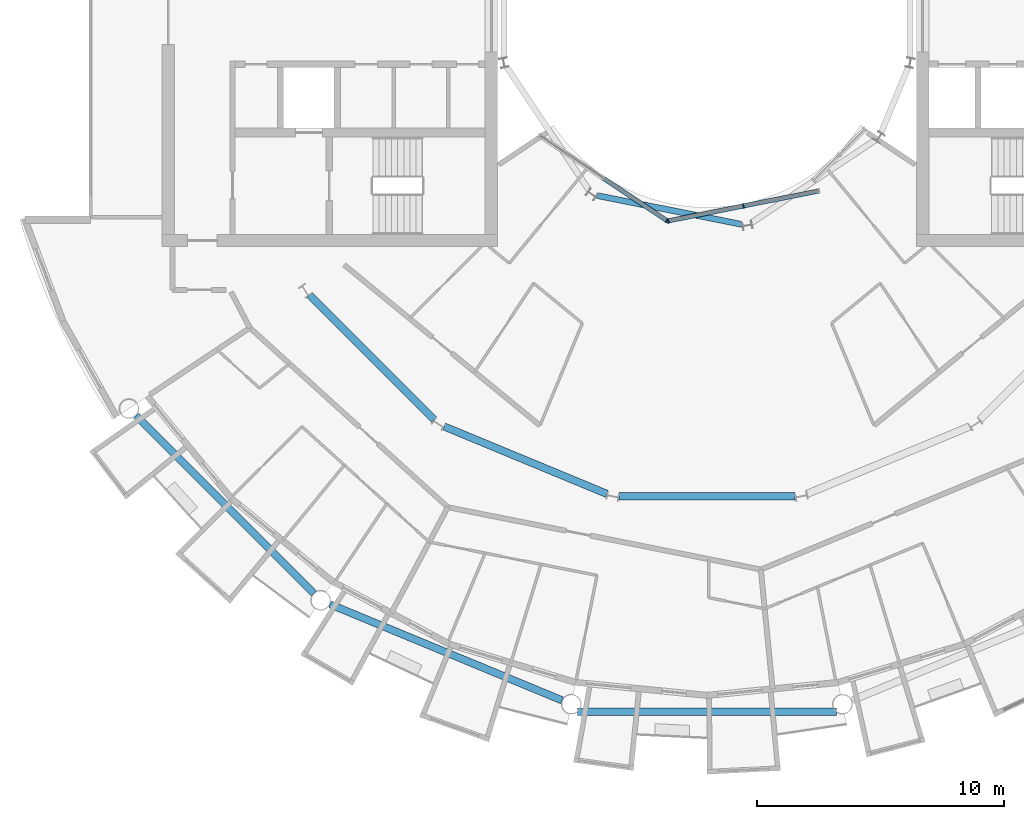
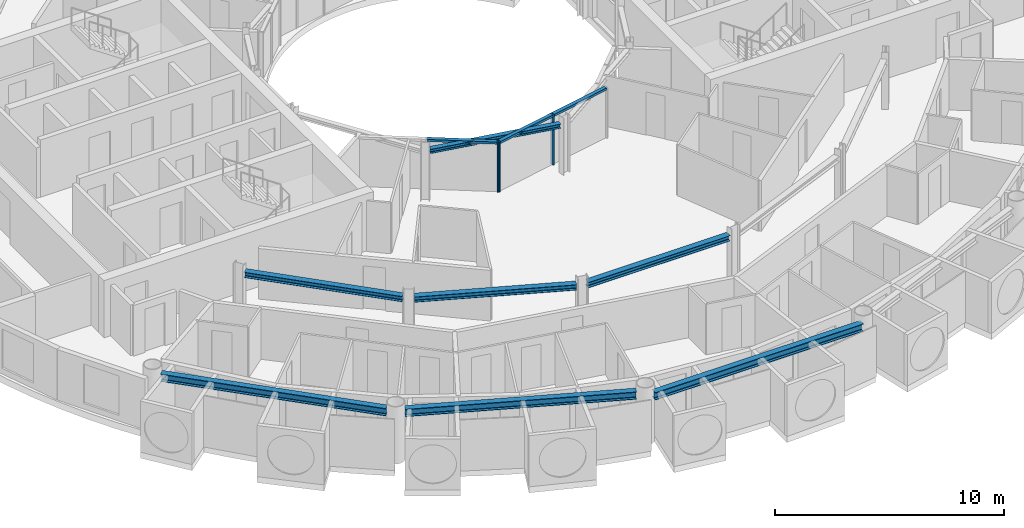
# One storey, part 5 of 27: 7 beams, 6 members, 2 elements without a shape of their own.
"""IFC4 building model written with IfcOpenShell, lengths in metres."""

from ifc_helpers import new_model, si_unit, direction, frame, origin, origin_2d, place, context, subcontext, project, spatial, rectangle, i_section, extrude, material, layer, layer_set, material_profile, profile_set, type_object, element, aggregate, save


model = new_model("IFC4")

# Units and contexts
model_context = context("Model", 3, precision=1e-05, world=origin(), true_north=direction((0.0, 1.0)))
body_context = subcontext(model_context, "Body", "Model", "MODEL_VIEW")
ifc_project = project(units=[si_unit("LENGTHUNIT", "METRE"), si_unit("AREAUNIT", "SQUARE_METRE"), si_unit("VOLUMEUNIT", "CUBIC_METRE"), si_unit("PLANEANGLEUNIT", "RADIAN"), si_unit("MASSUNIT", "GRAM", prefix="KILO")], contexts=[model_context])

# Site, building, storey
site_placement = place(None, origin())
site = spatial("IfcSite", under=ifc_project, at=site_placement, CompositionType="ELEMENT")
building_placement = place(site_placement, origin())
building = spatial("IfcBuilding", under=site, at=building_placement, Name="Maasbend Ring Residences", CompositionType="ELEMENT")
storey_placement = place(building_placement, frame((0.0, 0.0, 148.25)))
storey = spatial("IfcBuildingStorey", under=building, at=storey_placement, Name="L42", CompositionType="ELEMENT", Elevation=148.25)

# Curtain wall, member
ifc_material_1 = material(Name="Aluminium and clear glass", Category="aluminium")
ifc_layer = layer(ifc_material_1, 0.179931640625)
ifc_layer_set = layer_set([ifc_layer], Name="CW-W")
curtain_wall_type = type_object("IfcCurtainWallType", Name="CW-W", PredefinedType="NOTDEFINED", material=ifc_layer_set)
curtain_wall_1_placement = place(storey_placement, origin())
curtain_wall_1 = element("IfcCurtainWall", 1, at=curtain_wall_1_placement, inside=storey, type_object=curtain_wall_type, Name="Well curtain wall S1", PredefinedType="NOTDEFINED")
ifc_material_2 = material(Name="Aluminium 6063-T6", Category="aluminium")
ifc_material_profile_1 = material_profile(ifc_material_2, rectangle(XDim=0.179931640625, YDim=0.06005859375, at=origin_2d()), Name="AL 180x60")
ifc_profile_set_1 = profile_set([ifc_material_profile_1], Name="Aluminium 6063-T6")
member_type_1 = type_object("IfcMemberType", Name="CWM-W", PredefinedType="MULLION", material=ifc_profile_set_1)
member_1_placement = place(storey_placement, frame((-1.627685546875, -8.040771484375, 0.0), z_axis=(0.0, 0.0, 1.0), x_axis=(0.55557023302, 0.831469612303, 0.0)))
member_1 = element("IfcMember", 2, at=member_1_placement, type_object=member_type_1, Name="Mullion well face", PredefinedType="MULLION", context=body_context, shape_type="SweptSolid", body=[
    extrude(rectangle(XDim=0.179931640625, YDim=0.06005859375, at=origin_2d()), origin(), (0.0, 0.0, 1.0), 2.699951171875),
])

# Curtain wall, members
curtain_wall_2_placement = place(storey_placement, origin())
curtain_wall_2 = element("IfcCurtainWall", 3, at=curtain_wall_2_placement, inside=storey, type_object=curtain_wall_type, Name="Well curtain wall S2", PredefinedType="NOTDEFINED")
member_2_placement = place(storey_placement, frame((-1.5732421875, -8.0517578125, 0.0), z_axis=(0.0, 0.0, 1.0), x_axis=(-0.195090322016, 0.980785280403, 0.0)))
member_2 = element("IfcMember", 4, at=member_2_placement, type_object=member_type_1, Name="Mullion well face", PredefinedType="MULLION", context=body_context, shape_type="SweptSolid", body=[
    extrude(rectangle(XDim=0.179931640625, YDim=0.06005859375, at=origin_2d()), origin(), (0.0, 0.0, 1.0), 2.699951171875),
])
member_3_placement = place(storey_placement, frame((1.480712890625, -7.444091796875, 0.0), z_axis=(0.0, 0.0, 1.0), x_axis=(-0.195090322016, 0.980785280403, 0.0)))
member_3 = element("IfcMember", 5, at=member_3_placement, type_object=member_type_1, Name="Mullion well face", PredefinedType="MULLION", context=body_context, shape_type="SweptSolid", body=[
    extrude(rectangle(XDim=0.179931640625, YDim=0.06005859375, at=origin_2d()), origin(), (0.0, 0.0, 1.0), 2.699951171875),
])

# Member
ifc_material_3 = material(Name="Aluminium 6063-T6", Category="aluminium")
ifc_material_profile_2 = material_profile(ifc_material_3, rectangle(XDim=0.179931640625, YDim=0.1201171875, at=origin_2d()), Name="AL 180x120")
ifc_profile_set_2 = profile_set([ifc_material_profile_2], Name="Aluminium 6063-T6")
member_type_2 = type_object("IfcMemberType", Name="CWT-W", PredefinedType="USERDEFINED", material=ifc_profile_set_2)
member_4_placement = place(storey_placement, frame((-4.19189453125, -6.32763671875, 2.639892578125), z_axis=(0.831496422459, -0.555530106689, 0.0), x_axis=(0.555530106689, 0.831496422459, 0.0)))
member_4 = element("IfcMember", 6, at=member_4_placement, type_object=member_type_2, Name="Transom well face", ObjectType="TRANSOM", PredefinedType="USERDEFINED", context=body_context, shape_type="SweptSolid", body=[
    extrude(rectangle(XDim=0.179931640625, YDim=0.1201171875, at=origin_2d()), origin(), (0.0, 0.0, 1.0), 3.053955078125),
])

aggregate(curtain_wall_1, [member_1, member_4])

member_5_placement = place(storey_placement, frame((-1.5439453125, -8.0458984375, 2.639892578125), z_axis=(0.980776956105, 0.195132166424, 0.0), x_axis=(-0.195132166424, 0.980776956105, 0.0)))
member_5 = element("IfcMember", 7, at=member_5_placement, type_object=member_type_2, Name="Transom well face", ObjectType="TRANSOM", PredefinedType="USERDEFINED", context=body_context, shape_type="SweptSolid", body=[
    extrude(rectangle(XDim=0.179931640625, YDim=0.1201171875, at=origin_2d()), origin(), (0.0, 0.0, 1.0), 3.053955078125),
])

member_6_placement = place(storey_placement, frame((1.51025390625, -7.438232421875, 2.639892578125), z_axis=(0.980789210404, 0.19507056353, 0.0), x_axis=(-0.19507056353, 0.980789210404, 0.0)))
member_6 = element("IfcMember", 8, at=member_6_placement, type_object=member_type_2, Name="Transom well face", ObjectType="TRANSOM", PredefinedType="USERDEFINED", context=body_context, shape_type="SweptSolid", body=[
    extrude(rectangle(XDim=0.179931640625, YDim=0.1201171875, at=origin_2d()), origin(), (0.0, 0.0, 1.0), 3.0537109375),
])

aggregate(curtain_wall_2, [member_2, member_3, member_5, member_6])

# Beams
ifc_material_4 = material(Name="Steel S355J2", Category="steel")
ifc_material_profile_3 = material_profile(ifc_material_4, i_section(OverallWidth=0.300048828125, OverallDepth=0.2900390625, WebThickness=0.008544921875, FlangeThickness=0.013916015625, FilletRadius=0.027099609375, at=origin_2d()), Name="HEA 300")
ifc_profile_set_3 = profile_set([ifc_material_profile_3], Name="Steel S355J2")
beam_type_1 = type_object("IfcBeamType", Name="Corridor ring beam HEA 300", PredefinedType="BEAM", material=ifc_profile_set_3)
for number, where, z_axis, x_axis, name in (
    (9, (-16.11669921875, -11.0693359375, 2.554931640625), (0.707106781187, -0.707106781187, 0.0), (0.707106781187, 0.707106781187, 0.0), "Corridor ring beam"),
    (10, (-10.65380859375, -16.394287109375, 2.554931640625), (0.923871339849, -0.382703210602, 0.0), (0.382703210602, 0.923871339849, 0.0), "Corridor ring beam"),
):
    element("IfcBeam", number, at=place(storey_placement, frame(where, z_axis=z_axis, x_axis=x_axis)), inside=storey, type_object=beam_type_1, Name=name, PredefinedType="BEAM", context=body_context, shape_type="SweptSolid", body=[
        extrude(i_section(OverallWidth=0.300048828125, OverallDepth=0.2900390625, WebThickness=0.008544921875, FlangeThickness=0.013916015625, FilletRadius=0.027099609375, at=origin_2d()), origin(), (0.0, 0.0, 1.0), 7.137939453125),
    ])
beam_1_placement = place(storey_placement, frame((-3.56884765625, -19.223388671875, 2.554931640625), z_axis=(1.0, 0.0, 0.0), x_axis=(0.0, 1.0, 0.0)))
element("IfcBeam", 11, at=beam_1_placement, inside=storey, type_object=beam_type_1, Name="Corridor ring beam", PredefinedType="BEAM", context=body_context, shape_type="SweptSolid", body=[
    extrude(i_section(OverallWidth=0.300048828125, OverallDepth=0.2900390625, WebThickness=0.008544921875, FlangeThickness=0.013916015625, FilletRadius=0.027099609375, at=origin_2d()), origin(), (0.0, 0.0, 1.0), 7.1376953125),
])
ifc_material_5 = material(Name="Steel S355J2", Category="steel")
ifc_material_profile_4 = material_profile(ifc_material_5, i_section(OverallWidth=0.300048828125, OverallDepth=0.39990234375, WebThickness=0.013427734375, FlangeThickness=0.02392578125, FilletRadius=0.027099609375, at=origin_2d()), Name="HEB 400")
ifc_profile_set_4 = profile_set([ifc_material_profile_4], Name="Steel S355J2")
beam_type_2 = type_object("IfcBeamType", Name="Spandrel ring beam HEB 400", PredefinedType="SPANDREL", material=ifc_profile_set_4)
for number, where, z_axis, x_axis, name in (
    (12, (-23.159912109375, -15.95458984375, 2.5), (0.707106781187, -0.707106781187, 0.0), (0.707106781187, 0.707106781187, 0.0), "Spandrel ring beam"),
    (13, (-15.29150390625, -23.60302734375, 2.5), (0.923883676188, -0.382673428492, 0.0), (0.382673428492, 0.923883676188, 0.0), "Spandrel ring beam"),
):
    element("IfcBeam", number, at=place(storey_placement, frame(where, z_axis=z_axis, x_axis=x_axis)), inside=storey, type_object=beam_type_2, Name=name, PredefinedType="SPANDREL", context=body_context, shape_type="SweptSolid", body=[
        extrude(i_section(OverallWidth=0.300048828125, OverallDepth=0.39990234375, WebThickness=0.013427734375, FlangeThickness=0.02392578125, FilletRadius=0.027099609375, at=origin_2d()), origin(), (0.0, 0.0, 1.0), 10.18994140625),
    ])
beam_2_placement = place(storey_placement, frame((-5.2451171875, -27.9580078125, 2.5), z_axis=(1.0, 0.0, 0.0), x_axis=(0.0, 1.0, 0.0)))
element("IfcBeam", 14, at=beam_2_placement, inside=storey, type_object=beam_type_2, Name="Spandrel ring beam", PredefinedType="SPANDREL", context=body_context, shape_type="SweptSolid", body=[
    extrude(i_section(OverallWidth=0.300048828125, OverallDepth=0.39990234375, WebThickness=0.013427734375, FlangeThickness=0.02392578125, FilletRadius=0.027099609375, at=origin_2d()), origin(), (0.0, 0.0, 1.0), 10.490234375),
])
ifc_material_6 = material(Name="Steel S355J2", Category="steel")
ifc_material_profile_5 = material_profile(ifc_material_6, i_section(OverallWidth=0.239990234375, OverallDepth=0.22998046875, WebThickness=0.007568359375, FlangeThickness=0.011962890625, FilletRadius=0.02099609375, at=origin_2d()), Name="HEA 240")
ifc_profile_set_5 = profile_set([ifc_material_profile_5], Name="Steel S355J2")
beam_type_3 = type_object("IfcBeamType", Name="Well edge beam HEA 240", PredefinedType="BEAM", material=ifc_profile_set_5)
beam_3_placement = place(storey_placement, frame((-4.459716796875, -7.025390625, 2.5849609375), z_axis=(0.980778695042, -0.195123425945, 0.0), x_axis=(0.195123425945, 0.980778695042, 0.0)))
element("IfcBeam", 15, at=beam_3_placement, inside=storey, type_object=beam_type_3, Name="Well edge beam", PredefinedType="BEAM", context=body_context, shape_type="SweptSolid", body=[
    extrude(i_section(OverallWidth=0.239990234375, OverallDepth=0.22998046875, WebThickness=0.007568359375, FlangeThickness=0.011962890625, FilletRadius=0.02099609375, at=origin_2d()), origin(), (0.0, 0.0, 1.0), 6.007080078125),
])

save(model, "model.ifc")
